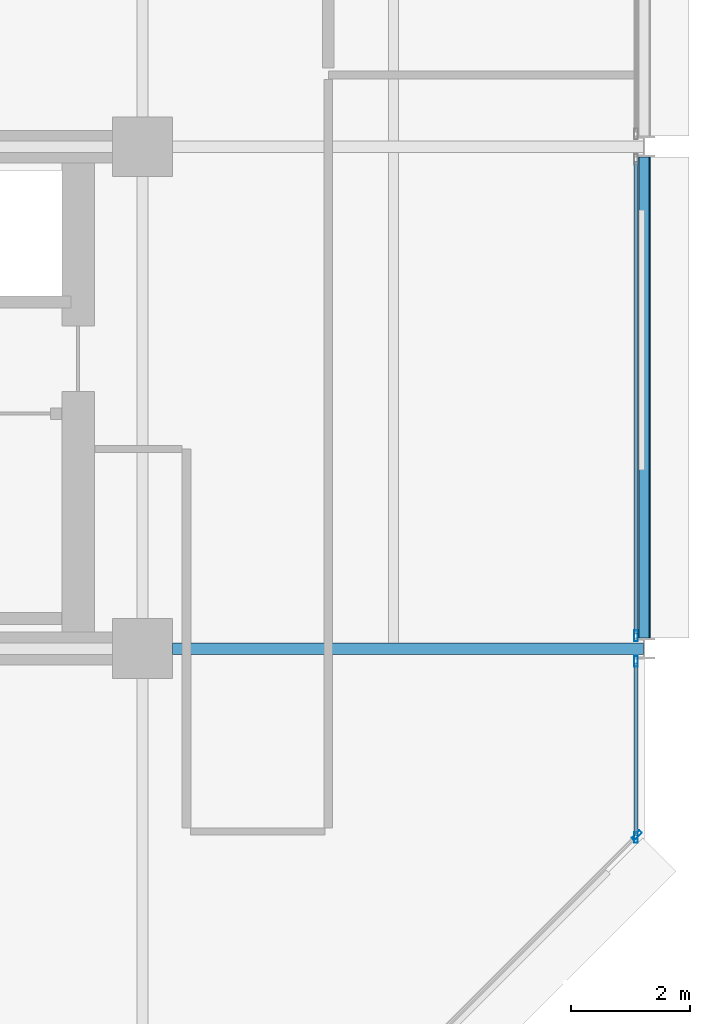
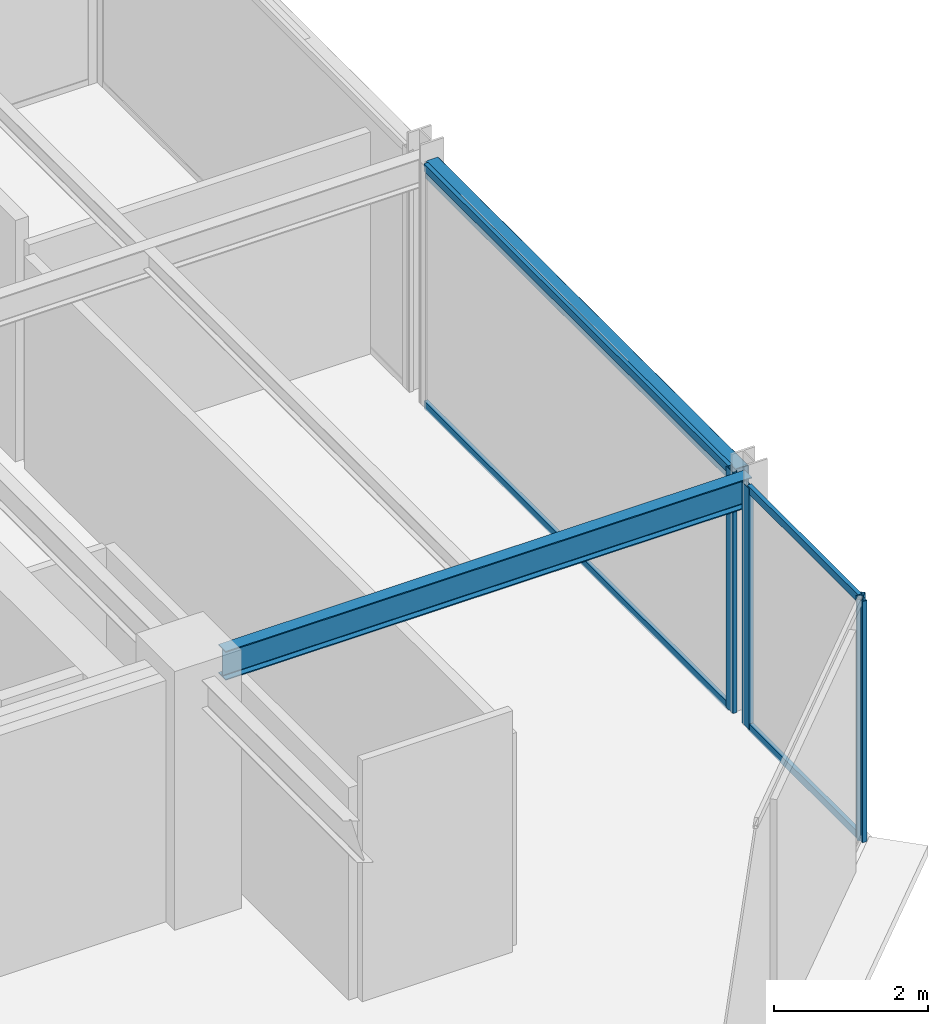
# One storey, part 13 of 29: 8 members, 2 beams, 3 elements without a shape of their own.
"""IFC4 building model written with IfcOpenShell, lengths in metres."""

from ifc_helpers import new_model, si_unit, direction, frame, origin, origin_2d, place, context, subcontext, project, spatial, hollow_rectangle, i_section, extrude, material, layer, layer_set, material_profile, profile_set, type_object, element, aggregate, save


model = new_model("IFC4")

# Units and contexts
model_context = context("Model", 3, precision=1e-05, world=origin(), true_north=direction((0.0, 1.0)))
body_context = subcontext(model_context, "Body", "Model", "MODEL_VIEW")
ifc_project = project(units=[si_unit("LENGTHUNIT", "METRE"), si_unit("AREAUNIT", "SQUARE_METRE"), si_unit("VOLUMEUNIT", "CUBIC_METRE"), si_unit("PLANEANGLEUNIT", "RADIAN"), si_unit("MASSUNIT", "GRAM", prefix="KILO")], contexts=[model_context])

# Site, building, storey
site_placement = place(None, origin())
site = spatial("IfcSite", under=ifc_project, at=site_placement, CompositionType="ELEMENT")
building_placement = place(site_placement, origin())
building = spatial("IfcBuilding", under=site, at=building_placement, Name="Nerrivon Quay Data Exchange", CompositionType="ELEMENT")
storey_placement = place(building_placement, frame((0.0, 0.0, 179.60009765625)))
storey = spatial("IfcBuildingStorey", under=building, at=storey_placement, Name="L42", CompositionType="ELEMENT", Elevation=179.60009765625)

# Beams
ifc_material_1 = material(Name="Steel Grade 350", Category="steel")
ifc_material_profile_1 = material_profile(ifc_material_1, i_section(OverallWidth=0.19091796875, OverallDepth=0.4599609375, WebThickness=0.010009765625, FlangeThickness=0.01611328125, FilletRadius=0.011474609375, at=origin_2d()), Name="460UB82.1")
ifc_profile_set_1 = profile_set([ifc_material_profile_1], Name="Steel Grade 350")
beam_type_1 = type_object("IfcBeamType", Name="BM-G5-460UB82", PredefinedType="BEAM", material=ifc_profile_set_1)
beam_1_placement = place(storey_placement, frame((34.10009765625, 8.39990234375, 3.594970703125), z_axis=(1.0, 0.0, 0.0), x_axis=(0.0, 1.0, 0.0)))
element("IfcBeam", 1, at=beam_1_placement, inside=storey, type_object=beam_type_1, Name="L42 EW Girder Y=8.4 (33.6..42.0)", PredefinedType="BEAM", context=body_context, shape_type="SweptSolid", body=[
    extrude(i_section(OverallWidth=0.19091796875, OverallDepth=0.4599609375, WebThickness=0.010009765625, FlangeThickness=0.01611328125, FilletRadius=0.011474609375, at=origin_2d()), origin(), (0.0, 0.0, 1.0), 7.889892578125),
])
ifc_material_2 = material(Name="Steel Grade C350L0 (350 MPa)", Category="steel")
ifc_material_profile_2 = material_profile(ifc_material_2, hollow_rectangle(XDim=0.199951171875, YDim=0.300048828125, WallThickness=0.012451171875, InnerFilletRadius=0.018798828125, OuterFilletRadius=0.03125, at=origin_2d()), Name="300x200x12.5RHS")
ifc_profile_set_2 = profile_set([ifc_material_profile_2], Name="Steel Grade C350L0 (350 MPa)")
beam_type_2 = type_object("IfcBeamType", Name="BM-SP3-300x200RHS", PredefinedType="SPANDREL", material=ifc_profile_set_2)
beam_2_placement = place(storey_placement, frame((42.0, 8.574951171875, 3.6748046875), z_axis=(0.0, 1.0, 0.0), x_axis=(-1.0, 0.0, 0.0)))
element("IfcBeam", 2, at=beam_2_placement, inside=storey, type_object=beam_type_2, Name="L42 NS Girder X=42.0 (8.4..16.8)", PredefinedType="SPANDREL", context=body_context, shape_type="SweptSolid", body=[
    extrude(hollow_rectangle(XDim=0.199951171875, YDim=0.300048828125, WallThickness=0.012451171875, InnerFilletRadius=0.018798828125, OuterFilletRadius=0.03125, at=origin_2d()), origin(), (0.0, 0.0, 1.0), 8.050048828125),
])

# Curtain wall, member
ifc_material_3 = material(Name="Anodised aluminium 6063-T6", Category="aluminium")
ifc_layer = layer(ifc_material_3, 0.195068359375)
ifc_layer_set = layer_set([ifc_layer], Name="Anodised aluminium 6063-T6")
curtain_wall_type = type_object("IfcCurtainWallType", Name="CW-SYS-06", PredefinedType="NOTDEFINED", material=ifc_layer_set)
curtain_wall_1_placement = place(storey_placement, origin())
curtain_wall_1 = element("IfcCurtainWall", 3, at=curtain_wall_1_placement, inside=storey, type_object=curtain_wall_type, Name="L42 Unitised Curtain Wall 19", PredefinedType="NOTDEFINED")
ifc_material_profile_3 = material_profile(ifc_material_3, hollow_rectangle(XDim=0.06494140625, YDim=0.179931640625, WallThickness=0.00341796875, at=origin_2d()), Name="ALU-MULL-180x65")
ifc_profile_set_3 = profile_set([ifc_material_profile_3], Name="Anodised aluminium 6063-T6")
member_type_1 = type_object("IfcMemberType", Name="CWM-180x65", PredefinedType="MULLION", material=ifc_profile_set_3)
member_1_placement = place(storey_placement, frame((41.860107421875, 8.612548828125, 0.0), z_axis=(0.0, 0.0, 1.0), x_axis=(1.0, 0.0, 0.0)))
member_1 = element("IfcMember", 4, at=member_1_placement, type_object=member_type_1, Name="CW06 mullion 2", PredefinedType="MULLION", context=body_context, shape_type="SweptSolid", body=[
    extrude(hollow_rectangle(XDim=0.06494140625, YDim=0.179931640625, WallThickness=0.00341796875, at=origin_2d()), origin(), (0.0, 0.0, 1.0), 3.824951171875),
])

# Curtain wall, members
curtain_wall_2_placement = place(storey_placement, origin())
curtain_wall_2 = element("IfcCurtainWall", 5, at=curtain_wall_2_placement, inside=storey, type_object=curtain_wall_type, Name="L42 Unitised Curtain Wall 20", PredefinedType="NOTDEFINED")
member_2_placement = place(storey_placement, frame((41.860107421875, 8.1875, 0.0), z_axis=(0.0, 0.0, 1.0), x_axis=(1.0, 0.0, 0.0)))
member_2 = element("IfcMember", 6, at=member_2_placement, type_object=member_type_1, Name="CW06 mullion 1", PredefinedType="MULLION", context=body_context, shape_type="SweptSolid", body=[
    extrude(hollow_rectangle(XDim=0.06494140625, YDim=0.179931640625, WallThickness=0.00341796875, at=origin_2d()), origin(), (0.0, 0.0, 1.0), 3.824951171875),
])
member_3_placement = place(storey_placement, frame((41.860107421875, 5.237548828125, 0.0), z_axis=(0.0, 0.0, 1.0), x_axis=(1.0, 0.0, 0.0)))
member_3 = element("IfcMember", 7, at=member_3_placement, type_object=member_type_1, Name="CW06 mullion 2", PredefinedType="MULLION", context=body_context, shape_type="SweptSolid", body=[
    extrude(hollow_rectangle(XDim=0.06494140625, YDim=0.179931640625, WallThickness=0.00341796875, at=origin_2d()), origin(), (0.0, 0.0, 1.0), 3.824951171875),
])

# Curtain wall, member
curtain_wall_3_placement = place(storey_placement, origin())
curtain_wall_3 = element("IfcCurtainWall", 8, at=curtain_wall_3_placement, inside=storey, type_object=curtain_wall_type, Name="L42 Unitised Curtain Wall 21", PredefinedType="NOTDEFINED")
member_4_placement = place(storey_placement, frame((41.87451171875, 5.2724609375, 0.0), z_axis=(0.0, 0.0, 1.0), x_axis=(0.707106781187, -0.707106781187, 0.0)))
member_4 = element("IfcMember", 9, at=member_4_placement, type_object=member_type_1, Name="CW06 mullion 1", PredefinedType="MULLION", context=body_context, shape_type="SweptSolid", body=[
    extrude(hollow_rectangle(XDim=0.06494140625, YDim=0.179931640625, WallThickness=0.00341796875, at=origin_2d()), origin(), (0.0, 0.0, 1.0), 3.824951171875),
])
aggregate(curtain_wall_3, [member_4])

# Member
ifc_material_profile_4 = material_profile(ifc_material_3, hollow_rectangle(XDim=0.06005859375, YDim=0.1201171875, WallThickness=0.003173828125, at=origin_2d()), Name="ALU-TRAN-120x60")
ifc_profile_set_4 = profile_set([ifc_material_profile_4], Name="Anodised aluminium 6063-T6")
member_type_2 = type_object("IfcMemberType", Name="CWT-120x60", PredefinedType="USERDEFINED", material=ifc_profile_set_4)
member_5_placement = place(storey_placement, frame((41.860107421875, 16.550048828125, 0.032470703125), z_axis=(0.0, -1.0, 0.0), x_axis=(1.0, 0.0, 0.0)))
member_5 = element("IfcMember", 10, at=member_5_placement, type_object=member_type_2, Name="CW06 transom 1.1", ObjectType="TRANSOM", PredefinedType="USERDEFINED", context=body_context, shape_type="SweptSolid", body=[
    extrude(hollow_rectangle(XDim=0.06005859375, YDim=0.1201171875, WallThickness=0.003173828125, at=origin_2d()), origin(), (0.0, 0.0, 1.0), 7.900146484375),
])

member_6_placement = place(storey_placement, frame((41.860107421875, 16.550048828125, 3.79248046875), z_axis=(0.0, -1.0, 0.0), x_axis=(1.0, 0.0, 0.0)))
member_6 = element("IfcMember", 11, at=member_6_placement, type_object=member_type_2, Name="CW06 transom 1.2", ObjectType="TRANSOM", PredefinedType="USERDEFINED", context=body_context, shape_type="SweptSolid", body=[
    extrude(hollow_rectangle(XDim=0.06005859375, YDim=0.1201171875, WallThickness=0.003173828125, at=origin_2d()), origin(), (0.0, 0.0, 1.0), 7.900146484375),
])

aggregate(curtain_wall_1, [member_1, member_5, member_6])

member_7_placement = place(storey_placement, frame((41.860107421875, 8.14990234375, 0.032470703125), z_axis=(0.0, -1.0, 0.0), x_axis=(1.0, 0.0, 0.0)))
member_7 = element("IfcMember", 12, at=member_7_placement, type_object=member_type_2, Name="CW06 transom 1.1", ObjectType="TRANSOM", PredefinedType="USERDEFINED", context=body_context, shape_type="SweptSolid", body=[
    extrude(hollow_rectangle(XDim=0.06005859375, YDim=0.1201171875, WallThickness=0.003173828125, at=origin_2d()), origin(), (0.0, 0.0, 1.0), 2.875),
])

member_8_placement = place(storey_placement, frame((41.860107421875, 8.14990234375, 3.79248046875), z_axis=(0.0, -1.0, 0.0), x_axis=(1.0, 0.0, 0.0)))
member_8 = element("IfcMember", 13, at=member_8_placement, type_object=member_type_2, Name="CW06 transom 1.2", ObjectType="TRANSOM", PredefinedType="USERDEFINED", context=body_context, shape_type="SweptSolid", body=[
    extrude(hollow_rectangle(XDim=0.06005859375, YDim=0.1201171875, WallThickness=0.003173828125, at=origin_2d()), origin(), (0.0, 0.0, 1.0), 2.875),
])

aggregate(curtain_wall_2, [member_2, member_3, member_7, member_8])

save(model, "model.ifc")
